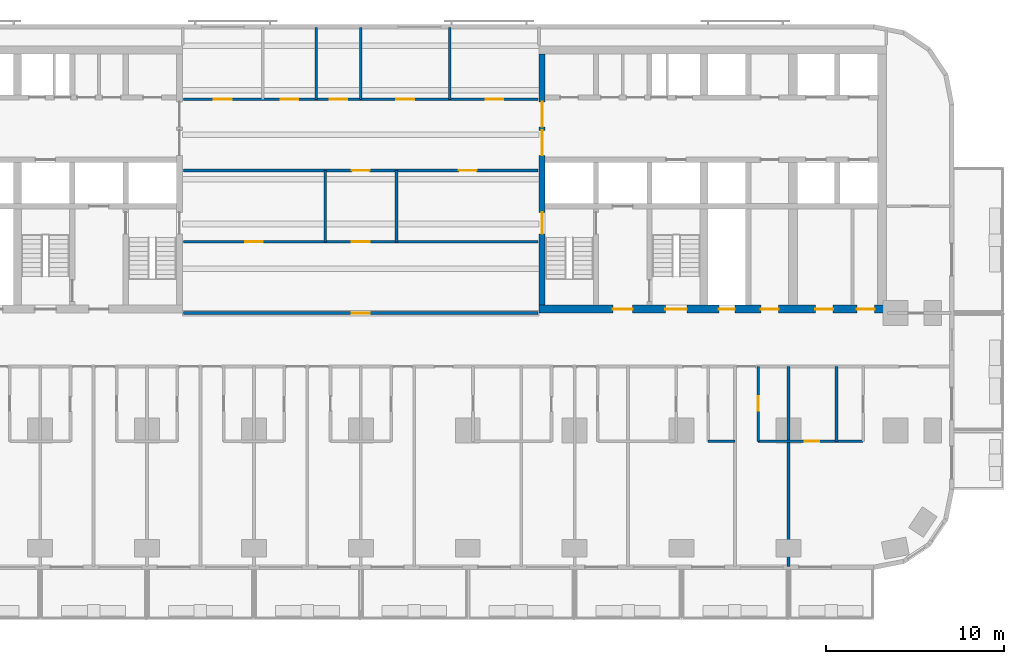
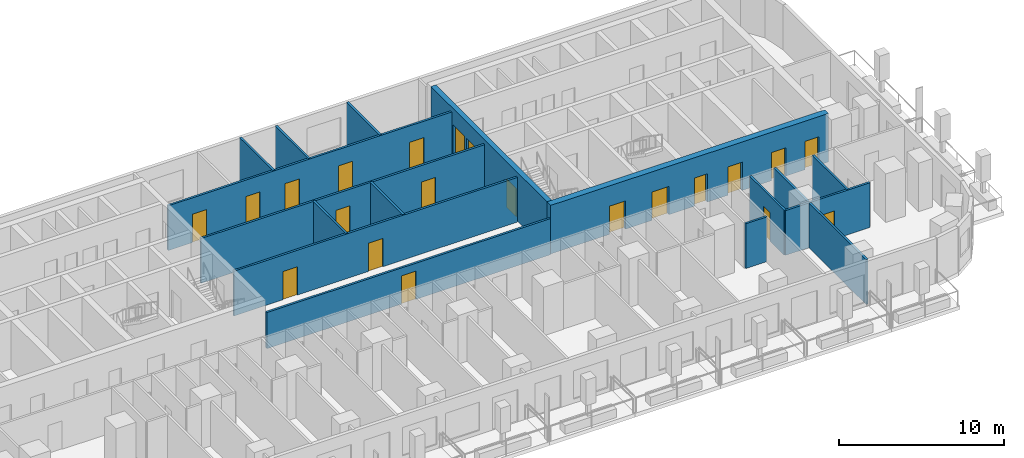
# One storey, part 6 of 14: 21 doors, 16 walls, 21 openings.
"""IFC4 building model written with IfcOpenShell, lengths in metres."""

from ifc_helpers import new_model, si_unit, direction, frame, frame_2d, origin, place, context, subcontext, project, spatial, rectangle, extrude, material, layer, layer_set, type_object, element, fill, save


model = new_model("IFC4")

# Units and contexts
model_context = context("Model", 3, precision=1e-05, world=origin(), true_north=direction((0.0, 1.0)))
body_context = subcontext(model_context, "Body", "Model", "MODEL_VIEW")
ifc_project = project(units=[si_unit("LENGTHUNIT", "METRE"), si_unit("AREAUNIT", "SQUARE_METRE"), si_unit("VOLUMEUNIT", "CUBIC_METRE"), si_unit("PLANEANGLEUNIT", "RADIAN"), si_unit("MASSUNIT", "GRAM", prefix="KILO")], contexts=[model_context])

# Site, building, storey
site_placement = place(None, origin())
site = spatial("IfcSite", under=ifc_project, at=site_placement, CompositionType="ELEMENT")
building_placement = place(site_placement, origin())
building = spatial("IfcBuilding", under=site, at=building_placement, Name="Torana Hotel and Residences", CompositionType="ELEMENT")
storey_placement = place(building_placement, frame((0.0, 0.0, 38.39990234375)))
storey = spatial("IfcBuildingStorey", under=building, at=storey_placement, Name="L08", CompositionType="ELEMENT", Elevation=38.39990234375)

# Wall, openings, doors
ifc_material_1 = material(Name="Concrete C80/95", Category="concrete")
ifc_layer_1 = layer(ifc_material_1, 0.35009765625)
ifc_layer_set_1 = layer_set([ifc_layer_1], Name="CORE WALL 350 C80/95")
wall_type_1 = type_object("IfcWallType", Name="CORE WALL 350 C80/95", PredefinedType="SHEAR", material=ifc_layer_set_1)
wall_1_placement = place(storey_placement, frame((10.175048828125, -14.550048828125, 0.0), z_axis=(0.0, 0.0, 1.0), x_axis=(0.0, 1.0, 0.0)))
wall_1 = element("IfcWall", 1, at=wall_1_placement, inside=storey, type_object=wall_type_1, Name="Core wall E arch", PredefinedType="SHEAR", context=body_context, shape_type="SweptSolid", body=[
    extrude(rectangle(XDim=14.10009765625, YDim=0.35009765625, at=frame_2d((7.050048828125, 0.0))), origin(), (0.0, 0.0, 1.0), 3.60009765625),
])
opening_1_placement = place(wall_1_placement, frame((8.39990234375, 0.0, 0.0)))
opening_1 = element("IfcOpeningElement", 2, at=opening_1_placement, cuts=wall_1, Name="Opening L08-19", PredefinedType="OPENING", context=body_context, shape_type="SweptSolid", body=[
    extrude(rectangle(XDim=1.39990234375, YDim=2.39990234375, at=frame_2d((0.699951171875, 1.199951171875))), frame((0.0, 0.18505859375, 0.0), z_axis=(0.0, -1.0, 0.0), x_axis=(1.0, 0.0, 0.0)), (0.0, 0.0, 1.0), 0.3701171875),
])
opening_2_placement = place(wall_1_placement, frame((10.0, 0.0, 0.0)))
opening_2 = element("IfcOpeningElement", 3, at=opening_2_placement, cuts=wall_1, Name="Opening L08-20", PredefinedType="OPENING", context=body_context, shape_type="SweptSolid", body=[
    extrude(rectangle(XDim=1.39990234375, YDim=2.39990234375, at=frame_2d((0.699951171875, 1.199951171875))), frame((0.0, 0.18505859375, 0.0), z_axis=(0.0, -1.0, 0.0), x_axis=(1.0, 0.0, 0.0)), (0.0, 0.0, 1.0), 0.3701171875),
])
opening_3_placement = place(wall_1_placement, frame((4.0, 0.0, 0.0)))
opening_3 = element("IfcOpeningElement", 4, at=opening_3_placement, cuts=wall_1, Name="Opening L08-21", PredefinedType="OPENING", context=body_context, shape_type="SweptSolid", body=[
    extrude(rectangle(XDim=1.199951171875, YDim=2.10009765625, at=frame_2d((0.60009765625, 1.050048828125))), frame((0.0, 0.18505859375, 0.0), z_axis=(0.0, -1.0, 0.0), x_axis=(1.0, 0.0, 0.0)), (0.0, 0.0, 1.0), 0.3701171875),
])
ifc_material_2 = material(Name="Steel S235", Category="steel")
door_type_1 = type_object("IfcDoorType", Name="LOBBY FIRE DOOR D4 1400x2400", OperationType="DOUBLE_DOOR_SINGLE_SWING", PredefinedType="DOOR", material=ifc_material_2)
door_1_placement = place(opening_1_placement, origin())
door_1 = element("IfcDoor", 5, at=door_1_placement, inside=storey, type_object=door_type_1, Name="Lobby-1 door L08", OperationType="DOUBLE_DOOR_SINGLE_SWING", OverallHeight=2.39990234375, OverallWidth=1.39990234375, PredefinedType="DOOR", context=body_context, shape_type="SweptSolid", body=[
    extrude(rectangle(XDim=1.39990234375, YDim=2.39990234375, at=frame_2d((0.699951171875, 1.199951171875))), frame((0.0, 0.02490234375, 0.0), z_axis=(0.0, -1.0, 0.0), x_axis=(1.0, 0.0, 0.0)), (0.0, 0.0, 1.0), 0.050048828125),
])
fill(opening_1, door_1)
door_2_placement = place(opening_2_placement, origin())
door_2 = element("IfcDoor", 6, at=door_2_placement, inside=storey, type_object=door_type_1, Name="Lobby-2 door L08", OperationType="DOUBLE_DOOR_SINGLE_SWING", OverallHeight=2.39990234375, OverallWidth=1.39990234375, PredefinedType="DOOR", context=body_context, shape_type="SweptSolid", body=[
    extrude(rectangle(XDim=1.39990234375, YDim=2.39990234375, at=frame_2d((0.699951171875, 1.199951171875))), frame((0.0, 0.02490234375, 0.0), z_axis=(0.0, -1.0, 0.0), x_axis=(1.0, 0.0, 0.0)), (0.0, 0.0, 1.0), 0.050048828125),
])
fill(opening_2, door_2)
ifc_material_3 = material(Name="Steel S235", Category="steel")
door_type_2 = type_object("IfcDoorType", Name="STAIR FIRE DOOR D3 1200x2100", OperationType="SINGLE_SWING_LEFT", PredefinedType="DOOR", material=ifc_material_3)
door_3_placement = place(opening_3_placement, frame((0.60009765625, 0.0, 0.0), z_axis=(0.0, 0.0, 1.0), x_axis=(-1.0, 0.0, 0.0)))
door_3 = element("IfcDoor", 7, at=door_3_placement, inside=storey, type_object=door_type_2, Name="Stair-A door L08", OperationType="SINGLE_SWING_RIGHT", OverallHeight=2.10009765625, OverallWidth=1.199951171875, PredefinedType="DOOR", context=body_context, shape_type="SweptSolid", body=[
    extrude(rectangle(XDim=1.199951171875, YDim=2.10009765625, at=frame_2d((0.0, 1.050048828125))), frame((0.0, -0.02490234375, 0.0), z_axis=(0.0, 1.0, 0.0), x_axis=(-1.0, 0.0, 0.0)), (0.0, 0.0, 1.0), 0.050048828125),
])
fill(opening_3, door_3)

ifc_material_4 = material(Name="Concrete C80/95", Category="concrete")
ifc_layer_2 = layer(ifc_material_4, 0.449951171875)
ifc_layer_set_2 = layer_set([ifc_layer_2], Name="CORE WALL 450 C80/95")
wall_type_2 = type_object("IfcWallType", Name="CORE WALL 450 C80/95", PredefinedType="SHEAR", material=ifc_layer_set_2)
wall_2_placement = place(storey_placement, frame((10.0, -14.77490234375, 0.0), z_axis=(0.0, 0.0, 1.0), x_axis=(1.0, 0.0, 0.0)))
wall_2 = element("IfcWall", 8, at=wall_2_placement, inside=storey, type_object=wall_type_2, Name="Core wall E front", PredefinedType="SHEAR", context=body_context, shape_type="SweptSolid", body=[
    extrude(rectangle(XDim=19.5, YDim=0.449951171875, at=frame_2d((9.75, 0.0))), origin(), (0.0, 0.0, 1.0), 3.60009765625),
])
opening_4_placement = place(wall_2_placement, frame((7.10009765625, 0.0, 0.0)))
opening_4 = element("IfcOpeningElement", 9, at=opening_4_placement, cuts=wall_2, Name="Opening L08-22", PredefinedType="OPENING", context=body_context, shape_type="SweptSolid", body=[
    extrude(rectangle(XDim=1.199951171875, YDim=2.10009765625, at=frame_2d((0.60009765625, 1.050048828125))), frame((0.0, 0.23486328125, 0.0), z_axis=(0.0, -1.0, 0.0), x_axis=(1.0, 0.0, 0.0)), (0.0, 0.0, 1.0), 0.469970703125),
])
opening_5_placement = place(wall_2_placement, frame((4.14990234375, 0.0, 0.0)))
opening_5 = element("IfcOpeningElement", 10, at=opening_5_placement, cuts=wall_2, Name="Opening L08-23", PredefinedType="OPENING", context=body_context, shape_type="SweptSolid", body=[
    extrude(rectangle(XDim=1.10009765625, YDim=2.10009765625, at=frame_2d((0.550048828125, 1.050048828125))), frame((0.0, 0.23486328125, 0.0), z_axis=(0.0, -1.0, 0.0), x_axis=(1.0, 0.0, 0.0)), (0.0, 0.0, 1.0), 0.469970703125),
])
opening_6_placement = place(wall_2_placement, frame((10.10009765625, 0.0, 0.0)))
opening_6 = element("IfcOpeningElement", 11, at=opening_6_placement, cuts=wall_2, Name="Opening L08-24", PredefinedType="OPENING", context=body_context, shape_type="SweptSolid", body=[
    extrude(rectangle(XDim=0.89990234375, YDim=2.10009765625, at=frame_2d((0.449951171875, 1.050048828125))), frame((0.0, 0.23486328125, 0.0), z_axis=(0.0, -1.0, 0.0), x_axis=(1.0, 0.0, 0.0)), (0.0, 0.0, 1.0), 0.469970703125),
])
opening_7_placement = place(wall_2_placement, frame((12.449951171875, 0.0, 0.0)))
opening_7 = element("IfcOpeningElement", 12, at=opening_7_placement, cuts=wall_2, Name="Opening L08-25", PredefinedType="OPENING", context=body_context, shape_type="SweptSolid", body=[
    extrude(rectangle(XDim=1.0, YDim=2.10009765625, at=frame_2d((0.5, 1.050048828125))), frame((0.0, 0.23486328125, 0.0), z_axis=(0.0, -1.0, 0.0), x_axis=(1.0, 0.0, 0.0)), (0.0, 0.0, 1.0), 0.469970703125),
])
opening_8_placement = place(wall_2_placement, frame((15.512451171875, 0.0, 0.0)))
opening_8 = element("IfcOpeningElement", 13, at=opening_8_placement, cuts=wall_2, Name="Opening L08-26", PredefinedType="OPENING", context=body_context, shape_type="SweptSolid", body=[
    extrude(rectangle(XDim=1.0, YDim=2.10009765625, at=frame_2d((0.5, 1.050048828125))), frame((0.0, 0.23486328125, 0.0), z_axis=(0.0, -1.0, 0.0), x_axis=(1.0, 0.0, 0.0)), (0.0, 0.0, 1.0), 0.469970703125),
])
opening_9_placement = place(wall_2_placement, frame((17.83740234375, 0.0, 0.0)))
opening_9 = element("IfcOpeningElement", 14, at=opening_9_placement, cuts=wall_2, Name="Opening L08-27", PredefinedType="OPENING", context=body_context, shape_type="SweptSolid", body=[
    extrude(rectangle(XDim=1.0, YDim=2.10009765625, at=frame_2d((0.5, 1.050048828125))), frame((0.0, 0.23486328125, 0.0), z_axis=(0.0, -1.0, 0.0), x_axis=(1.0, 0.0, 0.0)), (0.0, 0.0, 1.0), 0.469970703125),
])
ifc_material_5 = material(Name="Steel S235", Category="steel")
door_type_3 = type_object("IfcDoorType", Name="CORE ROOM FIRE DOOR D14 1000x2100", OperationType="SINGLE_SWING_LEFT", PredefinedType="DOOR", material=ifc_material_5)
door_4_placement = place(opening_7_placement, origin())
door_4 = element("IfcDoor", 15, at=door_4_placement, inside=storey, type_object=door_type_3, Name="M-Room door L08", OperationType="SINGLE_SWING_RIGHT", OverallHeight=2.10009765625, OverallWidth=1.0, PredefinedType="DOOR", context=body_context, shape_type="SweptSolid", body=[
    extrude(rectangle(XDim=1.0, YDim=2.10009765625, at=frame_2d((0.5, 1.050048828125))), frame((0.0, 0.02490234375, 0.0), z_axis=(0.0, -1.0, 0.0), x_axis=(1.0, 0.0, 0.0)), (0.0, 0.0, 1.0), 0.050048828125),
])
fill(opening_7, door_4)
door_5_placement = place(opening_8_placement, origin())
door_5 = element("IfcDoor", 16, at=door_5_placement, inside=storey, type_object=door_type_3, Name="L-A door L08", OperationType="SINGLE_SWING_RIGHT", OverallHeight=2.10009765625, OverallWidth=1.0, PredefinedType="DOOR", context=body_context, shape_type="SweptSolid", body=[
    extrude(rectangle(XDim=1.0, YDim=2.10009765625, at=frame_2d((0.5, 1.050048828125))), frame((0.0, 0.02490234375, 0.0), z_axis=(0.0, -1.0, 0.0), x_axis=(1.0, 0.0, 0.0)), (0.0, 0.0, 1.0), 0.050048828125),
])
fill(opening_8, door_5)
door_6_placement = place(opening_9_placement, origin())
door_6 = element("IfcDoor", 17, at=door_6_placement, inside=storey, type_object=door_type_3, Name="L-B door L08", OperationType="SINGLE_SWING_RIGHT", OverallHeight=2.10009765625, OverallWidth=1.0, PredefinedType="DOOR", context=body_context, shape_type="SweptSolid", body=[
    extrude(rectangle(XDim=1.0, YDim=2.10009765625, at=frame_2d((0.5, 1.050048828125))), frame((0.0, 0.02490234375, 0.0), z_axis=(0.0, -1.0, 0.0), x_axis=(1.0, 0.0, 0.0)), (0.0, 0.0, 1.0), 0.050048828125),
])
fill(opening_9, door_6)
ifc_material_6 = material(Name="Steel S235", Category="steel")
door_type_4 = type_object("IfcDoorType", Name="FIRE-FIGHTING LOBBY DOOR D8 1100x2100", OperationType="SINGLE_SWING_LEFT", PredefinedType="DOOR", material=ifc_material_6)
door_7_placement = place(opening_5_placement, origin())
door_7 = element("IfcDoor", 18, at=door_7_placement, inside=storey, type_object=door_type_4, Name="FF-lobby door L08", OperationType="SINGLE_SWING_RIGHT", OverallHeight=2.10009765625, OverallWidth=1.10009765625, PredefinedType="DOOR", context=body_context, shape_type="SweptSolid", body=[
    extrude(rectangle(XDim=1.10009765625, YDim=2.10009765625, at=frame_2d((0.550048828125, 1.050048828125))), frame((0.0, 0.02490234375, 0.0), z_axis=(0.0, -1.0, 0.0), x_axis=(1.0, 0.0, 0.0)), (0.0, 0.0, 1.0), 0.050048828125),
])
fill(opening_5, door_7)
ifc_material_7 = material(Name="Steel S235", Category="steel")
door_type_5 = type_object("IfcDoorType", Name="RISER ACCESS DOOR D5 900x2100", OperationType="SINGLE_SWING_LEFT", PredefinedType="DOOR", material=ifc_material_7)
door_8_placement = place(opening_6_placement, origin())
door_8 = element("IfcDoor", 19, at=door_8_placement, inside=storey, type_object=door_type_5, Name="M-Riser door L08", OperationType="SINGLE_SWING_RIGHT", OverallHeight=2.10009765625, OverallWidth=0.89990234375, PredefinedType="DOOR", context=body_context, shape_type="SweptSolid", body=[
    extrude(rectangle(XDim=0.89990234375, YDim=2.10009765625, at=frame_2d((0.449951171875, 1.050048828125))), frame((0.0, 0.02490234375, 0.0), z_axis=(0.0, -1.0, 0.0), x_axis=(1.0, 0.0, 0.0)), (0.0, 0.0, 1.0), 0.050048828125),
])
fill(opening_6, door_8)
door_9_placement = place(opening_4_placement, origin())
door_9 = element("IfcDoor", 20, at=door_9_placement, inside=storey, type_object=door_type_2, Name="Stair-B door L08", OperationType="SINGLE_SWING_RIGHT", OverallHeight=2.10009765625, OverallWidth=1.199951171875, PredefinedType="DOOR", context=body_context, shape_type="SweptSolid", body=[
    extrude(rectangle(XDim=1.199951171875, YDim=2.10009765625, at=frame_2d((0.60009765625, 1.050048828125))), frame((0.0, 0.02490234375, 0.0), z_axis=(0.0, -1.0, 0.0), x_axis=(1.0, 0.0, 0.0)), (0.0, 0.0, 1.0), 0.050048828125),
])
fill(opening_4, door_9)

# Walls
ifc_material_8 = material(Name="Gypsum plaster")
ifc_layer_3 = layer(ifc_material_8, 0.014892578125, Name="Plaster", Category="finish")
ifc_material_9 = material(Name="Concrete blockwork", Category="masonry")
ifc_layer_4 = layer(ifc_material_9, 0.1201171875, Name="Blockwork", Category="structure")
ifc_layer_5 = layer(ifc_material_8, 0.014892578125, Name="Plaster", Category="finish")
ifc_layer_set_3 = layer_set([ifc_layer_3, ifc_layer_4, ifc_layer_5], Name="FIRE PARTITION 150 BLOCKWORK")
wall_type_3 = type_object("IfcWallType", Name="FIRE PARTITION 150 BLOCKWORK", PredefinedType="PARTITIONING", material=ifc_layer_set_3)
for number, where, z_axis, x_axis, name in (
    (21, (2.0, -11.0, 0.0), (0.0, 0.0, 1.0), (0.0, 1.0, 0.0), "Partition L08"),
    (22, (-2.0, -11.0, 0.0), (0.0, 0.0, 1.0), (0.0, 1.0, 0.0), "Partition L08"),
):
    element("IfcWall", number, at=place(storey_placement, frame(where, z_axis=z_axis, x_axis=x_axis)), inside=storey, type_object=wall_type_3, Name=name, PredefinedType="PARTITIONING", context=body_context, shape_type="SweptSolid", body=[
        extrude(rectangle(XDim=4.0, YDim=0.14990234375, at=frame_2d((2.0, 0.0))), origin(), (0.0, 0.0, 1.0), 3.320068359375),
    ])

# Wall, opening, door
wall_3_placement = place(storey_placement, frame((-9.949951171875, -15.0, 0.0), z_axis=(0.0, 0.0, 1.0), x_axis=(1.0, 0.0, 0.0)))
wall_3 = element("IfcWall", 23, at=wall_3_placement, inside=storey, type_object=wall_type_3, Name="Partition L08", PredefinedType="PARTITIONING", context=body_context, shape_type="SweptSolid", body=[
    extrude(rectangle(XDim=19.89990234375, YDim=0.14990234375, at=frame_2d((9.949951171875, 0.0))), origin(), (0.0, 0.0, 1.0), 2.68408203125),
])
opening_10_placement = place(wall_3_placement, frame((9.449951171875, 0.0, 0.0)))
opening_10 = element("IfcOpeningElement", 24, at=opening_10_placement, cuts=wall_3, Name="Opening L08-37", PredefinedType="OPENING", context=body_context, shape_type="SweptSolid", body=[
    extrude(rectangle(XDim=1.0, YDim=2.10009765625, at=frame_2d((0.5, 1.050048828125))), frame((0.0, 0.0849609375, 0.0), z_axis=(0.0, -1.0, 0.0), x_axis=(1.0, 0.0, 0.0)), (0.0, 0.0, 1.0), 0.169921875),
])
ifc_material_10 = material(Name="Steel S235", Category="steel")
door_type_6 = type_object("IfcDoorType", Name="ENTRY FIRE DOOR D6 1000x2100", OperationType="SINGLE_SWING_LEFT", PredefinedType="DOOR", material=ifc_material_10)
door_10_placement = place(opening_10_placement, origin())
door_10 = element("IfcDoor", 25, at=door_10_placement, inside=storey, type_object=door_type_6, Name="Door L08", OperationType="SINGLE_SWING_RIGHT", OverallHeight=2.10009765625, OverallWidth=1.0, PredefinedType="DOOR", context=body_context, shape_type="SweptSolid", body=[
    extrude(rectangle(XDim=1.0, YDim=2.10009765625, at=frame_2d((0.5, 1.050048828125))), frame((0.0, 0.02490234375, 0.0), z_axis=(0.0, -1.0, 0.0), x_axis=(1.0, 0.0, 0.0)), (0.0, 0.0, 1.0), 0.050048828125),
])
fill(opening_10, door_10)

# Wall, openings, doors
wall_4_placement = place(storey_placement, frame((-9.949951171875, -11.0, 0.0), z_axis=(0.0, 0.0, 1.0), x_axis=(1.0, 0.0, 0.0)))
wall_4 = element("IfcWall", 26, at=wall_4_placement, inside=storey, type_object=wall_type_3, Name="Partition L08", PredefinedType="PARTITIONING", context=body_context, shape_type="SweptSolid", body=[
    extrude(rectangle(XDim=19.89990234375, YDim=0.14990234375, at=frame_2d((9.949951171875, 0.0))), origin(), (0.0, 0.0, 1.0), 3.320068359375),
])
opening_11_placement = place(wall_4_placement, frame((9.449951171875, 0.0, 0.0)))
opening_11 = element("IfcOpeningElement", 27, at=opening_11_placement, cuts=wall_4, Name="Opening L08-55", PredefinedType="OPENING", context=body_context, shape_type="SweptSolid", body=[
    extrude(rectangle(XDim=1.0, YDim=2.10009765625, at=frame_2d((0.5, 1.050048828125))), frame((0.0, 0.0849609375, 0.0), z_axis=(0.0, -1.0, 0.0), x_axis=(1.0, 0.0, 0.0)), (0.0, 0.0, 1.0), 0.169921875),
])
opening_12_placement = place(wall_4_placement, frame((3.449951171875, 0.0, 0.0)))
opening_12 = element("IfcOpeningElement", 28, at=opening_12_placement, cuts=wall_4, Name="Opening L08-56", PredefinedType="OPENING", context=body_context, shape_type="SweptSolid", body=[
    extrude(rectangle(XDim=1.0, YDim=2.10009765625, at=frame_2d((0.5, 1.050048828125))), frame((0.0, 0.0849609375, 0.0), z_axis=(0.0, -1.0, 0.0), x_axis=(1.0, 0.0, 0.0)), (0.0, 0.0, 1.0), 0.169921875),
])
door_11_placement = place(opening_11_placement, origin())
door_11 = element("IfcDoor", 29, at=door_11_placement, inside=storey, type_object=door_type_6, Name="Door L08", OperationType="SINGLE_SWING_RIGHT", OverallHeight=2.10009765625, OverallWidth=1.0, PredefinedType="DOOR", context=body_context, shape_type="SweptSolid", body=[
    extrude(rectangle(XDim=1.0, YDim=2.10009765625, at=frame_2d((0.5, 1.050048828125))), frame((0.0, 0.02490234375, 0.0), z_axis=(0.0, -1.0, 0.0), x_axis=(1.0, 0.0, 0.0)), (0.0, 0.0, 1.0), 0.050048828125),
])
fill(opening_11, door_11)
door_12_placement = place(opening_12_placement, origin())
door_12 = element("IfcDoor", 30, at=door_12_placement, inside=storey, type_object=door_type_6, Name="Door L08", OperationType="SINGLE_SWING_RIGHT", OverallHeight=2.10009765625, OverallWidth=1.0, PredefinedType="DOOR", context=body_context, shape_type="SweptSolid", body=[
    extrude(rectangle(XDim=1.0, YDim=2.10009765625, at=frame_2d((0.5, 1.050048828125))), frame((0.0, 0.02490234375, 0.0), z_axis=(0.0, -1.0, 0.0), x_axis=(1.0, 0.0, 0.0)), (0.0, 0.0, 1.0), 0.050048828125),
])
fill(opening_12, door_12)

wall_5_placement = place(storey_placement, frame((-9.949951171875, -7.0, 0.0), z_axis=(0.0, 0.0, 1.0), x_axis=(1.0, 0.0, 0.0)))
wall_5 = element("IfcWall", 31, at=wall_5_placement, inside=storey, type_object=wall_type_3, Name="Partition L08", PredefinedType="PARTITIONING", context=body_context, shape_type="SweptSolid", body=[
    extrude(rectangle(XDim=19.89990234375, YDim=0.14990234375, at=frame_2d((9.949951171875, 0.0))), origin(), (0.0, 0.0, 1.0), 3.320068359375),
])
opening_13_placement = place(wall_5_placement, frame((9.449951171875, 0.0, 0.0)))
opening_13 = element("IfcOpeningElement", 32, at=opening_13_placement, cuts=wall_5, Name="Opening L08-57", PredefinedType="OPENING", context=body_context, shape_type="SweptSolid", body=[
    extrude(rectangle(XDim=1.0, YDim=2.10009765625, at=frame_2d((0.5, 1.050048828125))), frame((0.0, 0.0849609375, 0.0), z_axis=(0.0, -1.0, 0.0), x_axis=(1.0, 0.0, 0.0)), (0.0, 0.0, 1.0), 0.169921875),
])
opening_14_placement = place(wall_5_placement, frame((15.449951171875, 0.0, 0.0)))
opening_14 = element("IfcOpeningElement", 33, at=opening_14_placement, cuts=wall_5, Name="Opening L08-58", PredefinedType="OPENING", context=body_context, shape_type="SweptSolid", body=[
    extrude(rectangle(XDim=1.0, YDim=2.10009765625, at=frame_2d((0.5, 1.050048828125))), frame((0.0, 0.0849609375, 0.0), z_axis=(0.0, -1.0, 0.0), x_axis=(1.0, 0.0, 0.0)), (0.0, 0.0, 1.0), 0.169921875),
])
door_13_placement = place(opening_13_placement, origin())
door_13 = element("IfcDoor", 34, at=door_13_placement, inside=storey, type_object=door_type_6, Name="Door L08", OperationType="SINGLE_SWING_RIGHT", OverallHeight=2.10009765625, OverallWidth=1.0, PredefinedType="DOOR", context=body_context, shape_type="SweptSolid", body=[
    extrude(rectangle(XDim=1.0, YDim=2.10009765625, at=frame_2d((0.5, 1.050048828125))), frame((0.0, 0.02490234375, 0.0), z_axis=(0.0, -1.0, 0.0), x_axis=(1.0, 0.0, 0.0)), (0.0, 0.0, 1.0), 0.050048828125),
])
fill(opening_13, door_13)
door_14_placement = place(opening_14_placement, frame((0.5, 0.0, 0.0), z_axis=(0.0, 0.0, 1.0), x_axis=(-1.0, 0.0, 0.0)))
door_14 = element("IfcDoor", 35, at=door_14_placement, inside=storey, type_object=door_type_6, Name="Door L08", OperationType="SINGLE_SWING_LEFT", OverallHeight=2.10009765625, OverallWidth=1.0, PredefinedType="DOOR", context=body_context, shape_type="SweptSolid", body=[
    extrude(rectangle(XDim=1.0, YDim=2.10009765625, at=frame_2d((0.0, 1.050048828125))), frame((0.0, -0.02490234375, 0.0), z_axis=(0.0, 1.0, 0.0), x_axis=(-1.0, 0.0, 0.0)), (0.0, 0.0, 1.0), 0.050048828125),
])
fill(opening_14, door_14)

wall_6_placement = place(storey_placement, frame((-9.949951171875, -3.0, 0.0), z_axis=(0.0, 0.0, 1.0), x_axis=(1.0, 0.0, 0.0)))
wall_6 = element("IfcWall", 36, at=wall_6_placement, inside=storey, type_object=wall_type_3, Name="Partition L08", PredefinedType="PARTITIONING", context=body_context, shape_type="SweptSolid", body=[
    extrude(rectangle(XDim=19.89990234375, YDim=0.14990234375, at=frame_2d((9.949951171875, 0.0))), origin(), (0.0, 0.0, 1.0), 3.320068359375),
])
opening_15_placement = place(wall_6_placement, frame((1.699951171875, 0.0, 0.0)))
opening_15 = element("IfcOpeningElement", 37, at=opening_15_placement, cuts=wall_6, Name="Opening L08-59", PredefinedType="OPENING", context=body_context, shape_type="SweptSolid", body=[
    extrude(rectangle(XDim=1.0, YDim=2.10009765625, at=frame_2d((0.5, 1.050048828125))), frame((0.0, 0.0849609375, 0.0), z_axis=(0.0, -1.0, 0.0), x_axis=(1.0, 0.0, 0.0)), (0.0, 0.0, 1.0), 0.169921875),
])
opening_16_placement = place(wall_6_placement, frame((5.449951171875, 0.0, 0.0)))
opening_16 = element("IfcOpeningElement", 38, at=opening_16_placement, cuts=wall_6, Name="Opening L08-60", PredefinedType="OPENING", context=body_context, shape_type="SweptSolid", body=[
    extrude(rectangle(XDim=1.0, YDim=2.10009765625, at=frame_2d((0.5, 1.050048828125))), frame((0.0, 0.0849609375, 0.0), z_axis=(0.0, -1.0, 0.0), x_axis=(1.0, 0.0, 0.0)), (0.0, 0.0, 1.0), 0.169921875),
])
opening_17_placement = place(wall_6_placement, frame((8.199951171875, 0.0, 0.0)))
opening_17 = element("IfcOpeningElement", 39, at=opening_17_placement, cuts=wall_6, Name="Opening L08-61", PredefinedType="OPENING", context=body_context, shape_type="SweptSolid", body=[
    extrude(rectangle(XDim=1.0, YDim=2.10009765625, at=frame_2d((0.5, 1.050048828125))), frame((0.0, 0.0849609375, 0.0), z_axis=(0.0, -1.0, 0.0), x_axis=(1.0, 0.0, 0.0)), (0.0, 0.0, 1.0), 0.169921875),
])
opening_18_placement = place(wall_6_placement, frame((11.949951171875, 0.0, 0.0)))
opening_18 = element("IfcOpeningElement", 40, at=opening_18_placement, cuts=wall_6, Name="Opening L08-62", PredefinedType="OPENING", context=body_context, shape_type="SweptSolid", body=[
    extrude(rectangle(XDim=1.0, YDim=2.10009765625, at=frame_2d((0.5, 1.050048828125))), frame((0.0, 0.0849609375, 0.0), z_axis=(0.0, -1.0, 0.0), x_axis=(1.0, 0.0, 0.0)), (0.0, 0.0, 1.0), 0.169921875),
])
opening_19_placement = place(wall_6_placement, frame((16.949951171875, 0.0, 0.0)))
opening_19 = element("IfcOpeningElement", 41, at=opening_19_placement, cuts=wall_6, Name="Opening L08-63", PredefinedType="OPENING", context=body_context, shape_type="SweptSolid", body=[
    extrude(rectangle(XDim=1.0, YDim=2.10009765625, at=frame_2d((0.5, 1.050048828125))), frame((0.0, 0.0849609375, 0.0), z_axis=(0.0, -1.0, 0.0), x_axis=(1.0, 0.0, 0.0)), (0.0, 0.0, 1.0), 0.169921875),
])
door_15_placement = place(opening_15_placement, origin())
door_15 = element("IfcDoor", 42, at=door_15_placement, inside=storey, type_object=door_type_6, Name="Door L08", OperationType="SINGLE_SWING_RIGHT", OverallHeight=2.10009765625, OverallWidth=1.0, PredefinedType="DOOR", context=body_context, shape_type="SweptSolid", body=[
    extrude(rectangle(XDim=1.0, YDim=2.10009765625, at=frame_2d((0.5, 1.050048828125))), frame((0.0, 0.02490234375, 0.0), z_axis=(0.0, -1.0, 0.0), x_axis=(1.0, 0.0, 0.0)), (0.0, 0.0, 1.0), 0.050048828125),
])
fill(opening_15, door_15)
door_16_placement = place(opening_16_placement, origin())
door_16 = element("IfcDoor", 43, at=door_16_placement, inside=storey, type_object=door_type_6, Name="Door L08", OperationType="SINGLE_SWING_RIGHT", OverallHeight=2.10009765625, OverallWidth=1.0, PredefinedType="DOOR", context=body_context, shape_type="SweptSolid", body=[
    extrude(rectangle(XDim=1.0, YDim=2.10009765625, at=frame_2d((0.5, 1.050048828125))), frame((0.0, 0.02490234375, 0.0), z_axis=(0.0, -1.0, 0.0), x_axis=(1.0, 0.0, 0.0)), (0.0, 0.0, 1.0), 0.050048828125),
])
fill(opening_16, door_16)
door_17_placement = place(opening_17_placement, origin())
door_17 = element("IfcDoor", 44, at=door_17_placement, inside=storey, type_object=door_type_6, Name="Door L08", OperationType="SINGLE_SWING_RIGHT", OverallHeight=2.10009765625, OverallWidth=1.0, PredefinedType="DOOR", context=body_context, shape_type="SweptSolid", body=[
    extrude(rectangle(XDim=1.0, YDim=2.10009765625, at=frame_2d((0.5, 1.050048828125))), frame((0.0, 0.02490234375, 0.0), z_axis=(0.0, -1.0, 0.0), x_axis=(1.0, 0.0, 0.0)), (0.0, 0.0, 1.0), 0.050048828125),
])
fill(opening_17, door_17)
door_18_placement = place(opening_18_placement, origin())
door_18 = element("IfcDoor", 45, at=door_18_placement, inside=storey, type_object=door_type_6, Name="Door L08", OperationType="SINGLE_SWING_RIGHT", OverallHeight=2.10009765625, OverallWidth=1.0, PredefinedType="DOOR", context=body_context, shape_type="SweptSolid", body=[
    extrude(rectangle(XDim=1.0, YDim=2.10009765625, at=frame_2d((0.5, 1.050048828125))), frame((0.0, 0.02490234375, 0.0), z_axis=(0.0, -1.0, 0.0), x_axis=(1.0, 0.0, 0.0)), (0.0, 0.0, 1.0), 0.050048828125),
])
fill(opening_18, door_18)
door_19_placement = place(opening_19_placement, origin())
door_19 = element("IfcDoor", 46, at=door_19_placement, inside=storey, type_object=door_type_6, Name="Door L08", OperationType="SINGLE_SWING_RIGHT", OverallHeight=2.10009765625, OverallWidth=1.0, PredefinedType="DOOR", context=body_context, shape_type="SweptSolid", body=[
    extrude(rectangle(XDim=1.0, YDim=2.10009765625, at=frame_2d((0.5, 1.050048828125))), frame((0.0, 0.02490234375, 0.0), z_axis=(0.0, -1.0, 0.0), x_axis=(1.0, 0.0, 0.0)), (0.0, 0.0, 1.0), 0.050048828125),
])
fill(opening_19, door_19)

# Walls
ifc_material_11 = material(Name="Gypsum plasterboard")
ifc_layer_6 = layer(ifc_material_11, 0.012451171875, Name="Plasterboard", Category="finish")
ifc_layer_7 = layer(ifc_material_11, 0.012451171875, Name="Plasterboard", Category="finish")
ifc_material_12 = material(Name="Steel S280GD", Category="steel")
ifc_layer_8 = layer(ifc_material_12, 0.10009765625, Name="Steel studs with mineral wool", Category="insulation")
ifc_layer_9 = layer(ifc_material_11, 0.012451171875, Name="Plasterboard", Category="finish")
ifc_layer_10 = layer(ifc_material_11, 0.012451171875, Name="Plasterboard", Category="finish")
ifc_layer_set_4 = layer_set([ifc_layer_6, ifc_layer_7, ifc_layer_8, ifc_layer_9, ifc_layer_10], Name="PARTITION 150 PLASTERBOARD")
wall_type_4 = type_object("IfcWallType", Name="PARTITION 150 PLASTERBOARD", PredefinedType="PARTITIONING", material=ifc_layer_set_4)
wall_7_placement = place(storey_placement, frame((26.699951171875, -22.199951171875, 0.0), z_axis=(0.0, 0.0, 1.0), x_axis=(0.0, 1.0, 0.0)))
element("IfcWall", 47, at=wall_7_placement, inside=storey, type_object=wall_type_4, Name="Partition L08", PredefinedType="PARTITIONING", context=body_context, shape_type="SweptSolid", body=[
    extrude(rectangle(XDim=4.199951171875, YDim=0.14990234375, at=frame_2d((2.10009765625, 0.0))), origin(), (0.0, 0.0, 1.0), 3.320068359375),
])
wall_8_placement = place(storey_placement, frame((24.0, -29.219970703125, 0.0), z_axis=(0.0, 0.0, 1.0), x_axis=(0.0, 1.0, 0.0)))
element("IfcWall", 48, at=wall_8_placement, inside=storey, type_object=wall_type_4, Name="Partition L08", PredefinedType="PARTITIONING", context=body_context, shape_type="SweptSolid", body=[
    extrude(rectangle(XDim=11.219970703125, YDim=0.14990234375, at=frame_2d((5.60986328125, 0.0))), origin(), (0.0, 0.0, 1.0), 3.320068359375),
])

# Wall, opening, door
wall_9_placement = place(storey_placement, frame((22.300048828125, -22.199951171875, 0.0), z_axis=(0.0, 0.0, 1.0), x_axis=(0.0, 1.0, 0.0)))
wall_9 = element("IfcWall", 49, at=wall_9_placement, inside=storey, type_object=wall_type_4, Name="Partition L08", PredefinedType="PARTITIONING", context=body_context, shape_type="SweptSolid", body=[
    extrude(rectangle(XDim=4.199951171875, YDim=0.14990234375, at=frame_2d((2.10009765625, 0.0))), origin(), (0.0, 0.0, 1.0), 3.320068359375),
])
opening_20_placement = place(wall_9_placement, frame((1.719970703125, 0.0, 0.0)))
opening_20 = element("IfcOpeningElement", 50, at=opening_20_placement, cuts=wall_9, Name="Opening L08-77", PredefinedType="OPENING", context=body_context, shape_type="SweptSolid", body=[
    extrude(rectangle(XDim=0.800048828125, YDim=2.10009765625, at=frame_2d((0.39990234375, 1.050048828125))), frame((0.0, 0.0849609375, 0.0), z_axis=(0.0, -1.0, 0.0), x_axis=(1.0, 0.0, 0.0)), (0.0, 0.0, 1.0), 0.169921875),
])
ifc_material_13 = material(Name="Timber door, painted", Category="wood")
door_type_7 = type_object("IfcDoorType", Name="BATH DOOR D13 800x2100", OperationType="SINGLE_SWING_LEFT", PredefinedType="DOOR", material=ifc_material_13)
door_20_placement = place(opening_20_placement, origin())
door_20 = element("IfcDoor", 51, at=door_20_placement, inside=storey, type_object=door_type_7, Name="Door L08", OperationType="SINGLE_SWING_RIGHT", OverallHeight=2.10009765625, OverallWidth=0.800048828125, PredefinedType="DOOR", context=body_context, shape_type="SweptSolid", body=[
    extrude(rectangle(XDim=0.800048828125, YDim=2.10009765625, at=frame_2d((0.39990234375, 1.050048828125))), frame((0.0, 0.02490234375, 0.0), z_axis=(0.0, -1.0, 0.0), x_axis=(1.0, 0.0, 0.0)), (0.0, 0.0, 1.0), 0.050048828125),
])
fill(opening_20, door_20)

# Walls
wall_10_placement = place(storey_placement, frame((5.0, -3.0, 0.0), z_axis=(0.0, 0.0, 1.0), x_axis=(0.0, 1.0, 0.0)))
element("IfcWall", 52, at=wall_10_placement, inside=storey, type_object=wall_type_4, Name="Partition L08", PredefinedType="PARTITIONING", context=body_context, shape_type="SweptSolid", body=[
    extrude(rectangle(XDim=4.02001953125, YDim=0.14990234375, at=frame_2d((2.010009765625, 0.0))), origin(), (0.0, 0.0, 1.0), 3.320068359375),
])
wall_11_placement = place(storey_placement, frame((19.5, -22.199951171875, 0.0), z_axis=(0.0, 0.0, 1.0), x_axis=(1.0, 0.0, 0.0)))
element("IfcWall", 53, at=wall_11_placement, inside=storey, type_object=wall_type_4, Name="Partition L08", PredefinedType="PARTITIONING", context=body_context, shape_type="SweptSolid", body=[
    extrude(rectangle(XDim=1.5, YDim=0.14990234375, at=frame_2d((0.75, 0.0))), origin(), (0.0, 0.0, 1.0), 3.320068359375),
])

# Wall, opening, door
wall_12_placement = place(storey_placement, frame((22.300048828125, -22.199951171875, 0.0), z_axis=(0.0, 0.0, 1.0), x_axis=(1.0, 0.0, 0.0)))
wall_12 = element("IfcWall", 54, at=wall_12_placement, inside=storey, type_object=wall_type_4, Name="Partition L08", PredefinedType="PARTITIONING", context=body_context, shape_type="SweptSolid", body=[
    extrude(rectangle(XDim=5.89990234375, YDim=0.14990234375, at=frame_2d((2.949951171875, 0.0))), origin(), (0.0, 0.0, 1.0), 3.320068359375),
])
opening_21_placement = place(wall_12_placement, frame((2.6298828125, 0.0, 0.0)))
opening_21 = element("IfcOpeningElement", 55, at=opening_21_placement, cuts=wall_12, Name="Opening L08-80", PredefinedType="OPENING", context=body_context, shape_type="SweptSolid", body=[
    extrude(rectangle(XDim=0.800048828125, YDim=2.10009765625, at=frame_2d((0.39990234375, 1.050048828125))), frame((0.0, 0.0849609375, 0.0), z_axis=(0.0, -1.0, 0.0), x_axis=(1.0, 0.0, 0.0)), (0.0, 0.0, 1.0), 0.169921875),
])
door_21_placement = place(opening_21_placement, origin())
door_21 = element("IfcDoor", 56, at=door_21_placement, inside=storey, type_object=door_type_7, Name="Door L08", OperationType="SINGLE_SWING_RIGHT", OverallHeight=2.10009765625, OverallWidth=0.800048828125, PredefinedType="DOOR", context=body_context, shape_type="SweptSolid", body=[
    extrude(rectangle(XDim=0.800048828125, YDim=2.10009765625, at=frame_2d((0.39990234375, 1.050048828125))), frame((0.0, 0.02490234375, 0.0), z_axis=(0.0, -1.0, 0.0), x_axis=(1.0, 0.0, 0.0)), (0.0, 0.0, 1.0), 0.050048828125),
])
fill(opening_21, door_21)

# Walls
ifc_material_14 = material(Name="Ceramic tile on adhesive")
ifc_layer_11 = layer(ifc_material_14, 0.010009765625, Name="Wall tile", Category="finish")
ifc_material_15 = material(Name="Cement render")
ifc_layer_12 = layer(ifc_material_15, 0.010009765625, Name="Render", Category="finish")
ifc_layer_13 = layer(ifc_material_9, 0.110107421875, Name="Blockwork", Category="structure")
ifc_layer_14 = layer(ifc_material_15, 0.010009765625, Name="Render", Category="finish")
ifc_layer_15 = layer(ifc_material_14, 0.010009765625, Name="Wall tile", Category="finish")
ifc_layer_set_5 = layer_set([ifc_layer_11, ifc_layer_12, ifc_layer_13, ifc_layer_14, ifc_layer_15], Name="WC PARTITION 150")
wall_type_5 = type_object("IfcWallType", Name="WC PARTITION 150", PredefinedType="PLUMBINGWALL", material=ifc_layer_set_5)
for number, where, z_axis, x_axis, name in (
    (57, (0.0, -3.0, 0.0), (0.0, 0.0, 1.0), (0.0, 1.0, 0.0), "Partition L08"),
    (58, (-2.5, -3.0, 0.0), (0.0, 0.0, 1.0), (0.0, 1.0, 0.0), "Partition L08"),
):
    element("IfcWall", number, at=place(storey_placement, frame(where, z_axis=z_axis, x_axis=x_axis)), inside=storey, type_object=wall_type_5, Name=name, PredefinedType="PLUMBINGWALL", context=body_context, shape_type="SweptSolid", body=[
        extrude(rectangle(XDim=4.02001953125, YDim=0.14990234375, at=frame_2d((2.010009765625, 0.0))), origin(), (0.0, 0.0, 1.0), 3.320068359375),
    ])

save(model, "model.ifc")
